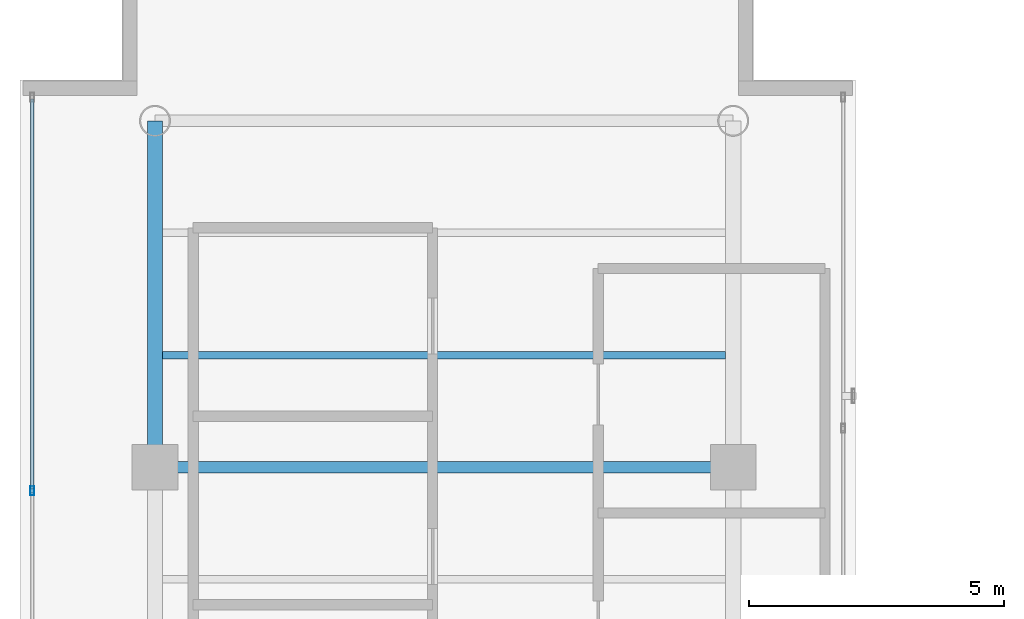
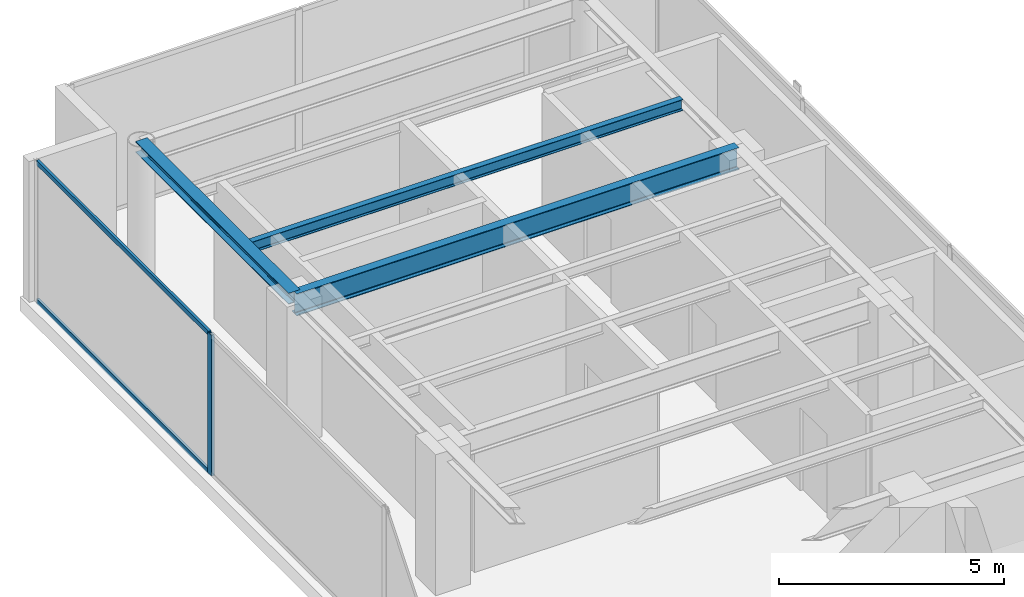
# One storey, part 16 of 24: 3 beams, 3 members, 1 element without a shape of its own.
"""IFC4 building model written with IfcOpenShell, lengths in metres."""

from ifc_helpers import new_model, si_unit, direction, frame, origin, origin_with_axes, origin_2d, place, context, subcontext, project, spatial, hollow_rectangle, i_section, extrude, source, transform, mapped, material, layer, layer_set, material_profile, profile_set, type_object, element, aggregate, save


model = new_model("IFC4")

# Units and contexts
model_context = context("Model", 3, precision=1e-05, world=origin(), true_north=direction((0.0, 1.0)))
body_context = subcontext(model_context, "Body", "Model", "MODEL_VIEW")
ifc_project = project(units=[si_unit("LENGTHUNIT", "METRE"), si_unit("AREAUNIT", "SQUARE_METRE"), si_unit("VOLUMEUNIT", "CUBIC_METRE"), si_unit("PLANEANGLEUNIT", "RADIAN"), si_unit("MASSUNIT", "GRAM", prefix="KILO")], contexts=[model_context])

# Site, building, storey
site_placement = place(None, origin())
site = spatial("IfcSite", under=ifc_project, at=site_placement, CompositionType="ELEMENT")
building_placement = place(site_placement, origin())
building = spatial("IfcBuilding", under=site, at=building_placement, Name="Kolvaren Waterfront Exchange", CompositionType="ELEMENT")
storey_placement = place(building_placement, frame((0.0, 0.0, 356.199951171875)))
storey = spatial("IfcBuildingStorey", under=building, at=storey_placement, Name="L91", CompositionType="ELEMENT", Elevation=356.199951171875)

# Beams
ifc_material_1 = material(Name="Steel S355", Category="steel")
ifc_material_profile_1 = material_profile(ifc_material_1, i_section(OverallWidth=0.300048828125, OverallDepth=0.300048828125, WebThickness=0.010986328125, FlangeThickness=0.01904296875, FilletRadius=0.027099609375, at=origin_2d()), Name="HEB300")
ifc_profile_set_1 = profile_set([ifc_material_profile_1], Name="Steel S355")
beam_type_1 = type_object("IfcBeamType", Name="STR-BM-HEB300", PredefinedType="SPANDREL", material=ifc_profile_set_1)
beam_1_placement = place(storey_placement, frame((7.449951171875, 37.800048828125, 3.670166015625), z_axis=(0.0, 1.0, 0.0), x_axis=(-1.0, 0.0, 0.0)))
element("IfcBeam", 1, at=beam_1_placement, inside=storey, type_object=beam_type_1, Name="L91 north-arm edge beam 3", PredefinedType="SPANDREL", context=body_context, shape_type="SweptSolid", body=[
    extrude(i_section(OverallWidth=0.300048828125, OverallDepth=0.300048828125, WebThickness=0.010986328125, FlangeThickness=0.01904296875, FilletRadius=0.027099609375, at=origin_2d()), origin(), (0.0, 0.0, 1.0), 6.800048828125),
])
ifc_material_profile_2 = material_profile(ifc_material_1, i_section(OverallWidth=0.14990234375, OverallDepth=0.300048828125, WebThickness=0.007080078125, FlangeThickness=0.0107421875, FilletRadius=0.014892578125, at=origin_2d()), Name="IPE300")
ifc_profile_set_2 = profile_set([ifc_material_profile_2], Name="Steel S355")
beam_type_2 = type_object("IfcBeamType", Name="STR-BM-IPE300", PredefinedType="JOIST", material=ifc_profile_set_2)
beam_2_placement = place(storey_placement, frame((7.60205078125, 40.0, 3.670166015625), z_axis=(1.0, 0.0, 0.0), x_axis=(0.0, 1.0, 0.0)))
element("IfcBeam", 2, at=beam_2_placement, inside=storey, type_object=beam_type_2, Name="L91 north-arm composite joist 5", PredefinedType="JOIST", context=body_context, shape_type="SweptSolid", body=[
    extrude(i_section(OverallWidth=0.14990234375, OverallDepth=0.300048828125, WebThickness=0.007080078125, FlangeThickness=0.0107421875, FilletRadius=0.014892578125, at=origin_2d()), origin(), (0.0, 0.0, 1.0), 11.0458984375),
])
ifc_material_profile_3 = material_profile(ifc_material_1, i_section(OverallWidth=0.219970703125, OverallDepth=0.60009765625, WebThickness=0.011962890625, FlangeThickness=0.01904296875, FilletRadius=0.02392578125, at=origin_2d()), Name="IPE600")
ifc_profile_set_3 = profile_set([ifc_material_profile_3], Name="Steel S355")
beam_type_3 = type_object("IfcBeamType", Name="STR-BM-IPE600", PredefinedType="BEAM", material=ifc_profile_set_3)
beam_3_placement = place(storey_placement, frame((7.449951171875, 37.800048828125, 3.52001953125), z_axis=(1.0, 0.0, 0.0), x_axis=(0.0, 1.0, 0.0)))
element("IfcBeam", 3, at=beam_3_placement, inside=storey, type_object=beam_type_3, Name="L91 north-arm girder 3", PredefinedType="BEAM", context=body_context, shape_type="SweptSolid", body=[
    extrude(i_section(OverallWidth=0.219970703125, OverallDepth=0.60009765625, WebThickness=0.011962890625, FlangeThickness=0.01904296875, FilletRadius=0.02392578125, at=origin_2d()), origin(), (0.0, 0.0, 1.0), 11.35009765625),
])

# Curtain wall, members
ifc_material_2 = material(Name="Anodised dark bronze spandrel aluminium", Category="aluminium")
ifc_layer = layer(ifc_material_2, 0.219970703125, Name="Anodised dark bronze spandrel aluminium")
ifc_layer_set = layer_set([ifc_layer], Name="Anodised dark bronze spandrel aluminium")
curtain_wall_type = type_object("IfcCurtainWallType", Name="ARC-CW-SYS6", PredefinedType="USERDEFINED", material=ifc_layer_set)
curtain_wall_placement = place(storey_placement, origin())
curtain_wall = element("IfcCurtainWall", 4, at=curtain_wall_placement, inside=storey, type_object=curtain_wall_type, Name="L91 stick curtain wall CW6 (CW-L91-W)", ObjectType="STICK CURTAIN WALL", PredefinedType="USERDEFINED")
ifc_material_3 = material(Name="Anodised bronze aluminium 6063-T6", Category="aluminium")
ifc_material_profile_4 = material_profile(ifc_material_3, hollow_rectangle(XDim=0.074951171875, YDim=0.179931640625, WallThickness=0.00439453125, at=origin_2d()), Name="ALU-MUL-180x75x4.5")
ifc_profile_set_4 = profile_set([ifc_material_profile_4], Name="Anodised bronze aluminium 6063-T6")
member_type_1 = type_object("IfcMemberType", Name="ARC-CWM-180", PredefinedType="MULLION", material=ifc_profile_set_4)
shared_shape_1 = source(origin_with_axes(), body_context, "Body", "SweptSolid", [
    extrude(hollow_rectangle(XDim=0.074951171875, YDim=0.179931640625, WallThickness=0.00439453125, at=origin_2d()), origin(), (0.0, 0.0, 1.0), 3.820068359375),
])
member_1_placement = place(storey_placement, frame((5.0400390625, 37.340087890625, 0.0), z_axis=(0.0, 0.0, 1.0), x_axis=(-1.0, 0.0, 0.0)))
member_1 = element("IfcMember", 5, at=member_1_placement, type_object=member_type_1, Name="CW6 mullion 5", PredefinedType="MULLION", context=body_context, shape_type="MappedRepresentation", body=[
    mapped(shared_shape_1, transform((0.0, 0.0, 0.0), x_axis=(1.0, 0.0, 0.0), y_axis=(0.0, 1.0, 0.0), z_axis=(0.0, 0.0, 1.0), scale=1.0)),
])
ifc_material_profile_5 = material_profile(ifc_material_3, hollow_rectangle(XDim=0.06494140625, YDim=0.1298828125, WallThickness=0.00390625, at=origin_2d()), Name="ALU-TRN-130x65x4")
ifc_profile_set_5 = profile_set([ifc_material_profile_5], Name="Anodised bronze aluminium 6063-T6")
member_type_2 = type_object("IfcMemberType", Name="ARC-CWT-130", PredefinedType="USERDEFINED", material=ifc_profile_set_5)
shared_shape_2 = source(origin_with_axes(), body_context, "Body", "SweptSolid", [
    extrude(hollow_rectangle(XDim=0.06494140625, YDim=0.1298828125, WallThickness=0.00390625, at=origin_2d()), origin(), (0.0, 0.0, 1.0), 7.6474609375),
])
member_2_placement = place(storey_placement, frame((5.0400390625, 37.37744140625, 0.032470703125), z_axis=(0.0, 1.0, 0.0), x_axis=(-1.0, 0.0, 0.0)))
member_2 = element("IfcMember", 6, at=member_2_placement, type_object=member_type_2, Name="CW6 transom 5.1", ObjectType="TRANSOM", PredefinedType="USERDEFINED", context=body_context, shape_type="MappedRepresentation", body=[
    mapped(shared_shape_2, transform((0.0, 0.0, 0.0), x_axis=(1.0, 0.0, 0.0), y_axis=(0.0, 1.0, 0.0), z_axis=(0.0, 0.0, 1.0), scale=1.0)),
])
member_3_placement = place(storey_placement, frame((5.0400390625, 37.37744140625, 3.78759765625), z_axis=(0.0, 1.0, 0.0), x_axis=(-1.0, 0.0, 0.0)))
member_3 = element("IfcMember", 7, at=member_3_placement, type_object=member_type_2, Name="CW6 transom 5.2", ObjectType="TRANSOM", PredefinedType="USERDEFINED", context=body_context, shape_type="MappedRepresentation", body=[
    mapped(shared_shape_2, transform((0.0, 0.0, 0.0), x_axis=(1.0, 0.0, 0.0), y_axis=(0.0, 1.0, 0.0), z_axis=(0.0, 0.0, 1.0), scale=1.0)),
])
aggregate(curtain_wall, [member_1, member_2, member_3])

save(model, "model.ifc")
